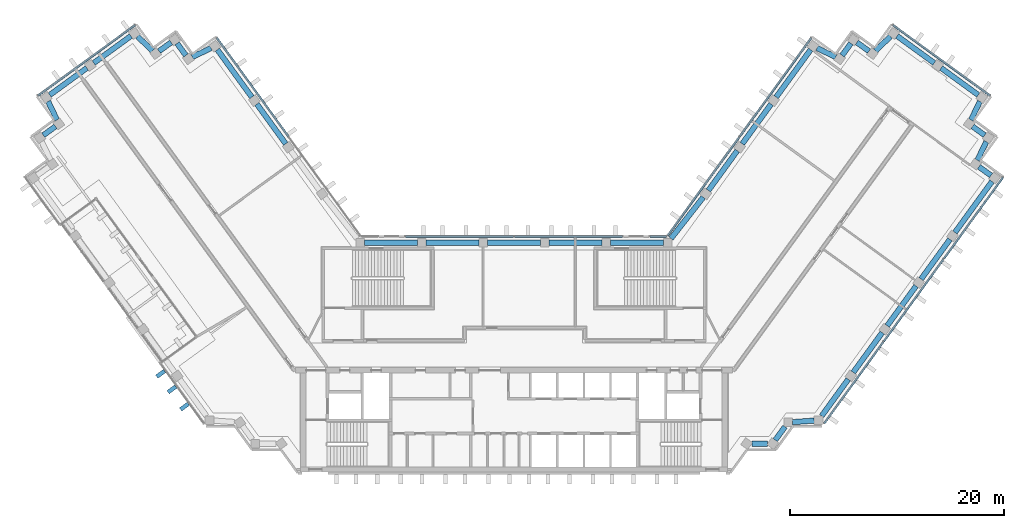
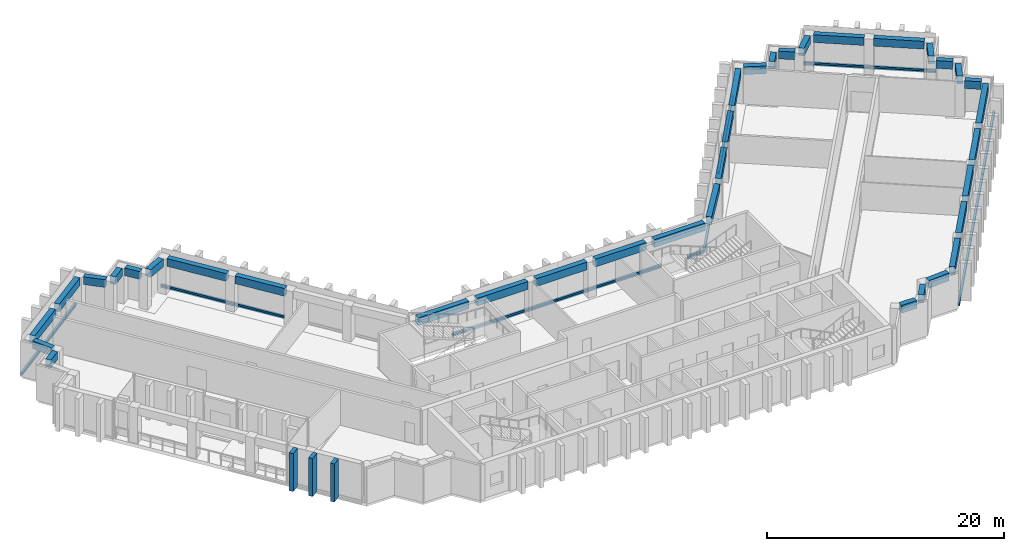
"""IFC4 building model written with IfcOpenShell, lengths in metres."""

from ifc_helpers import new_model, si_unit, direction, frame, origin, origin_2d, place, context, subcontext, project, spatial, rectangle, extrude, material, material_profile, profile_set, type_object, element, aggregate, save


model = new_model("IFC4")

# Units and contexts
model_context = context("Model", 3, precision=1e-05, world=origin(), true_north=direction((0.0, 1.0)))
body_context = subcontext(model_context, "Body", "Model", "MODEL_VIEW")
ifc_project = project(units=[si_unit("LENGTHUNIT", "METRE"), si_unit("AREAUNIT", "SQUARE_METRE"), si_unit("VOLUMEUNIT", "CUBIC_METRE"), si_unit("PLANEANGLEUNIT", "RADIAN"), si_unit("MASSUNIT", "GRAM", prefix="KILO")], contexts=[model_context])

# Site, building, storey
site_placement = place(None, origin())
site = spatial("IfcSite", under=ifc_project, at=site_placement, CompositionType="ELEMENT")
building_placement = place(site_placement, origin())
building = spatial("IfcBuilding", under=site, at=building_placement, Name="Quipu Civic Tower", CompositionType="ELEMENT")
storey_1_placement = place(building_placement, frame((0.0, 0.0, 156.0)))
storey_1 = spatial("IfcBuildingStorey", under=building, at=storey_1_placement, Name="L36", CompositionType="ELEMENT", Elevation=156.0)

# Beams
ifc_material_1 = material(Name="Concrete C50/60", Category="concrete")
ifc_material_profile_1 = material_profile(ifc_material_1, rectangle(XDim=0.5, YDim=0.800048828125, at=origin_2d()), Name="RC500x800")
ifc_profile_set_1 = profile_set([ifc_material_profile_1], Name="Concrete C50/60")
beam_type = type_object("IfcBeamType", Name="Spandrel beam RC 500x800 C50/60", PredefinedType="SPANDREL", material=ifc_profile_set_1)
beam_1_placement = place(storey_1_placement, frame((-21.382568359375, 19.767333984375, 3.25), z_axis=(-0.587736122681, 0.809052686848, 0.0), x_axis=(-0.809052686848, -0.587736122681, 0.0)))
element("IfcBeam", 1, at=beam_1_placement, inside=storey_1, type_object=beam_type, Name="Spandrel beam L36 W-IN-02 to W-IN-03", PredefinedType="SPANDREL", context=body_context, shape_type="SweptSolid", body=[
    extrude(rectangle(XDim=0.5, YDim=0.800048828125, at=origin_2d()), origin(), (0.0, 0.0, 1.0), 4.60009765625),
])
beam_2_placement = place(storey_1_placement, frame((-24.556396484375, 24.13623046875, 3.25), z_axis=(-0.587664254196, 0.809104890815, 0.0), x_axis=(-0.809104890815, -0.587664254196, 0.0)))
element("IfcBeam", 2, at=beam_2_placement, inside=storey_1, type_object=beam_type, Name="Spandrel beam L36 W-IN-03 to T-Wi.0-W34", PredefinedType="SPANDREL", context=body_context, shape_type="SweptSolid", body=[
    extrude(rectangle(XDim=0.5, YDim=0.800048828125, at=origin_2d()), origin(), (0.0, 0.0, 1.0), 5.493896484375),
])
beam_3_placement = place(storey_1_placement, frame((-28.38720703125, 28.72998046875, 3.25), z_axis=(-0.902584802379, -0.430512107279, 0.0), x_axis=(0.430512107279, -0.902584802379, 0.0)))
element("IfcBeam", 3, at=beam_3_placement, inside=storey_1, type_object=beam_type, Name="Spandrel beam L36 T-Wi.0-W34 to T-Wi.1-W34", PredefinedType="SPANDREL", context=body_context, shape_type="SweptSolid", body=[
    extrude(rectangle(XDim=0.5, YDim=0.800048828125, at=origin_2d()), origin(), (0.0, 0.0, 1.0), 1.9326171875),
])
beam_4_placement = place(storey_1_placement, frame((-30.734375, 28.0458984375, 3.25), z_axis=(-0.589342949835, 0.80788296645, 0.0), x_axis=(-0.80788296645, -0.589342949835, 0.0)))
element("IfcBeam", 4, at=beam_4_placement, inside=storey_1, type_object=beam_type, Name="Spandrel beam L36 T-Wi.1-W34 to T-Wi.2-W34", PredefinedType="SPANDREL", context=body_context, shape_type="SweptSolid", body=[
    extrude(rectangle(XDim=0.5, YDim=0.800048828125, at=origin_2d()), origin(), (0.0, 0.0, 1.0), 1.39990234375),
])
beam_5_placement = place(storey_1_placement, frame((-32.118896484375, 29.26513671875, 3.25), z_axis=(-0.80941533633, -0.587236590578, 0.0), x_axis=(0.587236590578, -0.80941533633, 0.0)))
element("IfcBeam", 5, at=beam_5_placement, inside=storey_1, type_object=beam_type, Name="Spandrel beam L36 T-Wi.2-W34 to T-Wi.3-W34", PredefinedType="SPANDREL", context=body_context, shape_type="SweptSolid", body=[
    extrude(rectangle(XDim=0.5, YDim=0.800048828125, at=origin_2d()), origin(), (0.0, 0.0, 1.0), 1.397705078125),
])
beam_6_placement = place(storey_1_placement, frame((-33.868896484375, 28.489501953125, 3.25), z_axis=(-0.72519185421, 0.68854685722, 0.0), x_axis=(-0.68854685722, -0.72519185421, 0.0)))
element("IfcBeam", 6, at=beam_6_placement, inside=storey_1, type_object=beam_type, Name="Spandrel beam L36 T-Wi.3-W34 to T-Wi.4-W34", PredefinedType="SPANDREL", context=body_context, shape_type="SweptSolid", body=[
    extrude(rectangle(XDim=0.5, YDim=0.800048828125, at=origin_2d()), origin(), (0.0, 0.0, 1.0), 1.93212890625),
])
beam_7_placement = place(storey_1_placement, frame((-35.888671875, 29.86474609375, 3.25), z_axis=(-0.808983997561, -0.58783066583, 0.0), x_axis=(0.58783066583, -0.808983997561, 0.0)))
element("IfcBeam", 7, at=beam_7_placement, inside=storey_1, type_object=beam_type, Name="Spandrel beam L36 T-Wi.4-W34 to TIP-W-01-W34", PredefinedType="SPANDREL", context=body_context, shape_type="SweptSolid", body=[
    extrude(rectangle(XDim=0.5, YDim=0.800048828125, at=origin_2d()), origin(), (0.0, 0.0, 1.0), 4.2998046875),
])
beam_8_placement = place(storey_1_placement, frame((-40.014404296875, 26.866943359375, 3.25), z_axis=(-0.808947267178, -0.587881211578, 0.0), x_axis=(0.587881211578, -0.808947267178, 0.0)))
element("IfcBeam", 8, at=beam_8_placement, inside=storey_1, type_object=beam_type, Name="Spandrel beam L36 TIP-W-01-W34 to T-Wo.0-W34", PredefinedType="SPANDREL", context=body_context, shape_type="SweptSolid", body=[
    extrude(rectangle(XDim=0.5, YDim=0.800048828125, at=origin_2d()), origin(), (0.0, 0.0, 1.0), 4.29833984375),
])
beam_9_placement = place(storey_1_placement, frame((-43.64013671875, 23.737548828125, 3.25), z_axis=(0.429889421342, -0.902881545618, 0.0), x_axis=(0.902881545618, 0.429889421342, 0.0)))
element("IfcBeam", 9, at=beam_9_placement, inside=storey_1, type_object=beam_type, Name="Spandrel beam L36 T-Wo.0-W34 to T-Wo.1-W34", PredefinedType="SPANDREL", context=body_context, shape_type="SweptSolid", body=[
    extrude(rectangle(XDim=0.5, YDim=0.800048828125, at=origin_2d()), origin(), (0.0, 0.0, 1.0), 1.931396484375),
])
beam_10_placement = place(storey_1_placement, frame((-42.958740234375, 21.391357421875, 3.25), z_axis=(-0.809467380413, -0.587164849125, 0.0), x_axis=(0.587164849125, -0.809467380413, 0.0)))
element("IfcBeam", 10, at=beam_10_placement, inside=storey_1, type_object=beam_type, Name="Spandrel beam L36 T-Wo.1-W34 to T-Wo.2-W34", PredefinedType="SPANDREL", context=body_context, shape_type="SweptSolid", body=[
    extrude(rectangle(XDim=0.5, YDim=0.800048828125, at=origin_2d()), origin(), (0.0, 0.0, 1.0), 1.399169921875),
])
beam_11_placement = place(storey_1_placement, frame((22.2861328125, -8.31494140625, 3.25), z_axis=(1.0, 0.0, 0.0), x_axis=(0.0, 1.0, 0.0)))
element("IfcBeam", 11, at=beam_11_placement, inside=storey_1, type_object=beam_type, Name="Spandrel beam L36 J-Eo.1 to J-Eo.2", PredefinedType="SPANDREL", context=body_context, shape_type="SweptSolid", body=[
    extrude(rectangle(XDim=0.5, YDim=0.800048828125, at=origin_2d()), origin(), (0.0, 0.0, 1.0), 1.454345703125),
])
beam_12_placement = place(storey_1_placement, frame((24.470458984375, -7.991455078125, 3.25), z_axis=(0.588405601119, 0.808565920981, 0.0), x_axis=(-0.808565920981, 0.588405601119, 0.0)))
element("IfcBeam", 12, at=beam_12_placement, inside=storey_1, type_object=beam_type, Name="Spandrel beam L36 J-Eo.2 to J-Eo.3", PredefinedType="SPANDREL", context=body_context, shape_type="SweptSolid", body=[
    extrude(rectangle(XDim=0.5, YDim=0.800048828125, at=origin_2d()), origin(), (0.0, 0.0, 1.0), 1.55126953125),
])
beam_13_placement = place(storey_1_placement, frame((26.074462890625, -6.307861328125, 3.25), z_axis=(0.997372997143, 0.072436900614, 0.0), x_axis=(-0.072436900614, 0.997372997143, 0.0)))
element("IfcBeam", 13, at=beam_13_placement, inside=storey_1, type_object=beam_type, Name="Spandrel beam L36 J-Eo.3 to J-Eo.4", PredefinedType="SPANDREL", context=body_context, shape_type="SweptSolid", body=[
    extrude(rectangle(XDim=0.5, YDim=0.800048828125, at=origin_2d()), origin(), (0.0, 0.0, 1.0), 2.055908203125),
])
beam_14_placement = place(storey_1_placement, frame((28.815673828125, -5.72998046875, 3.25), z_axis=(0.58776850526, 0.809029161541, 0.0), x_axis=(-0.809029161541, 0.58776850526, 0.0)))
element("IfcBeam", 14, at=beam_14_placement, inside=storey_1, type_object=beam_type, Name="Spandrel beam L36 J-Eo.4 to E-OUT-01", PredefinedType="SPANDREL", context=body_context, shape_type="SweptSolid", body=[
    extrude(rectangle(XDim=0.5, YDim=0.800048828125, at=origin_2d()), origin(), (0.0, 0.0, 1.0), 4.249267578125),
])
beam_15_placement = place(storey_1_placement, frame((31.783447265625, -1.64501953125, 3.25), z_axis=(0.587796098864, 0.809009113768, 0.0), x_axis=(-0.809009113768, 0.587796098864, 0.0)))
element("IfcBeam", 15, at=beam_15_placement, inside=storey_1, type_object=beam_type, Name="Spandrel beam L36 E-OUT-01 to E-OUT-02", PredefinedType="SPANDREL", context=body_context, shape_type="SweptSolid", body=[
    extrude(rectangle(XDim=0.5, YDim=0.800048828125, at=origin_2d()), origin(), (0.0, 0.0, 1.0), 4.60009765625),
])
beam_16_placement = place(storey_1_placement, frame((34.95751953125, 2.7236328125, 3.25), z_axis=(0.58776136044, 0.809034352283, 0.0), x_axis=(-0.809034352283, 0.58776136044, 0.0)))
element("IfcBeam", 16, at=beam_16_placement, inside=storey_1, type_object=beam_type, Name="Spandrel beam L36 E-OUT-02 to E-OUT-03", PredefinedType="SPANDREL", context=body_context, shape_type="SweptSolid", body=[
    extrude(rectangle(XDim=0.5, YDim=0.800048828125, at=origin_2d()), origin(), (0.0, 0.0, 1.0), 4.599853515625),
])
beam_17_placement = place(storey_1_placement, frame((38.13134765625, 7.09228515625, 3.25), z_axis=(0.587770861189, 0.809027449928, 0.0), x_axis=(-0.809027449928, 0.587770861189, 0.0)))
element("IfcBeam", 17, at=beam_17_placement, inside=storey_1, type_object=beam_type, Name="Spandrel beam L36 E-OUT-03 to E-OUT-04", PredefinedType="SPANDREL", context=body_context, shape_type="SweptSolid", body=[
    extrude(rectangle(XDim=0.5, YDim=0.800048828125, at=origin_2d()), origin(), (0.0, 0.0, 1.0), 4.60009765625),
])
beam_18_placement = place(storey_1_placement, frame((41.305419921875, 11.461181640625, 3.25), z_axis=(0.58780026889, 0.809006083965, 0.0), x_axis=(-0.809006083965, 0.58780026889, 0.0)))
element("IfcBeam", 18, at=beam_18_placement, inside=storey_1, type_object=beam_type, Name="Spandrel beam L36 E-OUT-04 to T-Eo.0-E34", PredefinedType="SPANDREL", context=body_context, shape_type="SweptSolid", body=[
    extrude(rectangle(XDim=0.5, YDim=0.800048828125, at=origin_2d()), origin(), (0.0, 0.0, 1.0), 5.902587890625),
])
beam_19_placement = place(storey_1_placement, frame((44.6865234375, 16.79541015625, 3.25), z_axis=(-0.808600329101, 0.588358315805, 0.0), x_axis=(-0.588358315805, -0.808600329101, 0.0)))
element("IfcBeam", 19, at=beam_19_placement, inside=storey_1, type_object=beam_type, Name="Spandrel beam L36 T-Eo.0-E34 to T-Eo.1-E34", PredefinedType="SPANDREL", context=body_context, shape_type="SweptSolid", body=[
    extrude(rectangle(XDim=0.5, YDim=0.800048828125, at=origin_2d()), origin(), (0.0, 0.0, 1.0), 1.400146484375),
])
beam_20_placement = place(storey_1_placement, frame((43.40625, 18.2216796875, 3.25), z_axis=(0.430785642718, 0.902454281406, 0.0), x_axis=(-0.902454281406, 0.430785642718, 0.0)))
element("IfcBeam", 20, at=beam_20_placement, inside=storey_1, type_object=beam_type, Name="Spandrel beam L36 T-Eo.1-E34 to T-Eo.2-E34", PredefinedType="SPANDREL", context=body_context, shape_type="SweptSolid", body=[
    extrude(rectangle(XDim=0.5, YDim=0.800048828125, at=origin_2d()), origin(), (0.0, 0.0, 1.0), 1.934814453125),
])
beam_21_placement = place(storey_1_placement, frame((44.09130859375, 20.56982421875, 3.25), z_axis=(-0.809467380413, 0.587164849125, 0.0), x_axis=(-0.587164849125, -0.809467380413, 0.0)))
element("IfcBeam", 21, at=beam_21_placement, inside=storey_1, type_object=beam_type, Name="Spandrel beam L36 T-Eo.2-E34 to T-Eo.3-E34", PredefinedType="SPANDREL", context=body_context, shape_type="SweptSolid", body=[
    extrude(rectangle(XDim=0.5, YDim=0.800048828125, at=origin_2d()), origin(), (0.0, 0.0, 1.0), 1.399169921875),
])
beam_22_placement = place(storey_1_placement, frame((42.809814453125, 21.99365234375, 3.25), z_axis=(0.429889421342, 0.902881545618, 0.0), x_axis=(-0.902881545618, 0.429889421342, 0.0)))
element("IfcBeam", 22, at=beam_22_placement, inside=storey_1, type_object=beam_type, Name="Spandrel beam L36 T-Eo.3-E34 to T-Eo.4-E34", PredefinedType="SPANDREL", context=body_context, shape_type="SweptSolid", body=[
    extrude(rectangle(XDim=0.5, YDim=0.800048828125, at=origin_2d()), origin(), (0.0, 0.0, 1.0), 1.931396484375),
])
beam_23_placement = place(storey_1_placement, frame((43.491455078125, 24.340087890625, 3.25), z_axis=(-0.808947267178, 0.587881211578, 0.0), x_axis=(-0.587881211578, -0.808947267178, 0.0)))
element("IfcBeam", 23, at=beam_23_placement, inside=storey_1, type_object=beam_type, Name="Spandrel beam L36 T-Eo.4-E34 to TIP-E-01-E34", PredefinedType="SPANDREL", context=body_context, shape_type="SweptSolid", body=[
    extrude(rectangle(XDim=0.5, YDim=0.800048828125, at=origin_2d()), origin(), (0.0, 0.0, 1.0), 4.29833984375),
])
beam_24_placement = place(storey_1_placement, frame((39.3671875, 27.337158203125, 3.25), z_axis=(-0.808983997561, 0.58783066583, 0.0), x_axis=(-0.58783066583, -0.808983997561, 0.0)))
element("IfcBeam", 24, at=beam_24_placement, inside=storey_1, type_object=beam_type, Name="Spandrel beam L36 TIP-E-01-E34 to T-Ei.0-E34", PredefinedType="SPANDREL", context=body_context, shape_type="SweptSolid", body=[
    extrude(rectangle(XDim=0.5, YDim=0.800048828125, at=origin_2d()), origin(), (0.0, 0.0, 1.0), 4.2998046875),
])
beam_25_placement = place(storey_1_placement, frame((35.27001953125, 29.81982421875, 3.25), z_axis=(-0.72519185421, -0.68854685722, 0.0), x_axis=(0.68854685722, -0.72519185421, 0.0)))
element("IfcBeam", 25, at=beam_25_placement, inside=storey_1, type_object=beam_type, Name="Spandrel beam L36 T-Ei.0-E34 to T-Ei.1-E34", PredefinedType="SPANDREL", context=body_context, shape_type="SweptSolid", body=[
    extrude(rectangle(XDim=0.5, YDim=0.800048828125, at=origin_2d()), origin(), (0.0, 0.0, 1.0), 1.93212890625),
])
beam_26_placement = place(storey_1_placement, frame((33.250244140625, 28.4443359375, 3.25), z_axis=(-0.80941533633, 0.587236590578, 0.0), x_axis=(-0.587236590578, -0.80941533633, 0.0)))
element("IfcBeam", 26, at=beam_26_placement, inside=storey_1, type_object=beam_type, Name="Spandrel beam L36 T-Ei.1-E34 to T-Ei.2-E34", PredefinedType="SPANDREL", context=body_context, shape_type="SweptSolid", body=[
    extrude(rectangle(XDim=0.5, YDim=0.800048828125, at=origin_2d()), origin(), (0.0, 0.0, 1.0), 1.397705078125),
])
beam_27_placement = place(storey_1_placement, frame((31.559326171875, 29.1767578125, 3.25), z_axis=(-0.589342949835, -0.80788296645, 0.0), x_axis=(0.80788296645, -0.589342949835, 0.0)))
element("IfcBeam", 27, at=beam_27_placement, inside=storey_1, type_object=beam_type, Name="Spandrel beam L36 T-Ei.2-E34 to T-Ei.3-E34", PredefinedType="SPANDREL", context=body_context, shape_type="SweptSolid", body=[
    extrude(rectangle(XDim=0.5, YDim=0.800048828125, at=origin_2d()), origin(), (0.0, 0.0, 1.0), 1.39990234375),
])
beam_28_placement = place(storey_1_placement, frame((30.131591796875, 27.89794921875, 3.25), z_axis=(-0.902584802379, 0.430512107279, 0.0), x_axis=(-0.430512107279, -0.902584802379, 0.0)))
element("IfcBeam", 28, at=beam_28_placement, inside=storey_1, type_object=beam_type, Name="Spandrel beam L36 T-Ei.3-E34 to T-Ei.4-E34", PredefinedType="SPANDREL", context=body_context, shape_type="SweptSolid", body=[
    extrude(rectangle(XDim=0.5, YDim=0.800048828125, at=origin_2d()), origin(), (0.0, 0.0, 1.0), 1.9326171875),
])
beam_29_placement = place(storey_1_placement, frame((27.784912109375, 28.581298828125, 3.25), z_axis=(-0.587664254196, -0.809104890815, 0.0), x_axis=(0.809104890815, -0.587664254196, 0.0)))
element("IfcBeam", 29, at=beam_29_placement, inside=storey_1, type_object=beam_type, Name="Spandrel beam L36 T-Ei.4-E34 to E-IN-03", PredefinedType="SPANDREL", context=body_context, shape_type="SweptSolid", body=[
    extrude(rectangle(XDim=0.5, YDim=0.800048828125, at=origin_2d()), origin(), (0.0, 0.0, 1.0), 5.493896484375),
])
beam_30_placement = place(storey_1_placement, frame((24.086181640625, 23.489013671875, 3.25), z_axis=(-0.587736122681, -0.809052686848, 0.0), x_axis=(0.809052686848, -0.587736122681, 0.0)))
element("IfcBeam", 30, at=beam_30_placement, inside=storey_1, type_object=beam_type, Name="Spandrel beam L36 E-IN-03 to E-IN-02", PredefinedType="SPANDREL", context=body_context, shape_type="SweptSolid", body=[
    extrude(rectangle(XDim=0.5, YDim=0.800048828125, at=origin_2d()), origin(), (0.0, 0.0, 1.0), 4.60009765625),
])
beam_31_placement = place(storey_1_placement, frame((20.912353515625, 19.1201171875, 3.25), z_axis=(-0.58776136044, -0.809034352283, 0.0), x_axis=(0.809034352283, -0.58776136044, 0.0)))
element("IfcBeam", 31, at=beam_31_placement, inside=storey_1, type_object=beam_type, Name="Spandrel beam L36 E-IN-02 to E-IN-01", PredefinedType="SPANDREL", context=body_context, shape_type="SweptSolid", body=[
    extrude(rectangle(XDim=0.5, YDim=0.800048828125, at=origin_2d()), origin(), (0.0, 0.0, 1.0), 4.599853515625),
])
beam_32_placement = place(storey_1_placement, frame((17.72705078125, 14.759765625, 3.25), z_axis=(-0.616090612932, -0.787675286306, 0.0), x_axis=(0.787675286306, -0.616090612932, 0.0)))
element("IfcBeam", 32, at=beam_32_placement, inside=storey_1, type_object=beam_type, Name="Spandrel beam L36 E-IN-01 to J-Ei.0", PredefinedType="SPANDREL", context=body_context, shape_type="SweptSolid", body=[
    extrude(rectangle(XDim=0.5, YDim=0.800048828125, at=origin_2d()), origin(), (0.0, 0.0, 1.0), 4.900390625),
])
for number, where, z_axis, x_axis, name in (
    (33, (13.9951171875, 10.5, 3.25), (-1.0, 0.0, 0.0), (0.0, -1.0, 0.0), "Spandrel beam L36 J-Ei.0 to FRONT-01"),
    (34, (8.237060546875, 10.5, 3.25), (-1.0, 0.0, 0.0), (0.0, -1.0, 0.0), "Spandrel beam L36 FRONT-01 to FRONT-02"),
    (35, (2.47900390625, 10.5, 3.25), (-1.0, 0.0, 0.0), (0.0, -1.0, 0.0), "Spandrel beam L36 FRONT-02 to FRONT-03"),
    (36, (-3.279052734375, 10.5, 3.25), (-1.0, 0.0, 0.0), (0.0, -1.0, 0.0), "Spandrel beam L36 FRONT-03 to FRONT-04"),
    (37, (-9.037109375, 10.5, 3.25), (-1.0, 0.0, 0.0), (0.0, -1.0, 0.0), "Spandrel beam L36 FRONT-04 to J-Wi.0"),
):
    element("IfcBeam", number, at=place(storey_1_placement, frame(where, z_axis=z_axis, x_axis=x_axis)), inside=storey_1, type_object=beam_type, Name=name, PredefinedType="SPANDREL", context=body_context, shape_type="SweptSolid", body=[
        extrude(rectangle(XDim=0.5, YDim=0.800048828125, at=origin_2d()), origin(), (0.0, 0.0, 1.0), 4.9580078125),
    ])

# Storey
storey_2_placement = place(building_placement, frame((0.0, 0.0, 148.0)))
storey_2 = spatial("IfcBuildingStorey", under=building, at=storey_2_placement, Name="L34", CompositionType="ELEMENT", Elevation=148.0)

# Curtain wall, members
ifc_material_2 = material(Name="Insulated glass unit", Category="glass")
curtain_wall_type = type_object("IfcCurtainWallType", Name="Office curtain wall CW1", PredefinedType="NOTDEFINED", material=ifc_material_2)
curtain_wall_1_placement = place(storey_2_placement, origin())
curtain_wall_1 = element("IfcCurtainWall", 38, at=curtain_wall_1_placement, inside=storey_2, type_object=curtain_wall_type, Name="Office curtain wall CW1 L33 run 16", PredefinedType="NOTDEFINED")
ifc_material_3 = material(Name="Anodised aluminium", Category="aluminium")
ifc_material_profile_2 = material_profile(ifc_material_3, rectangle(XDim=0.199951171875, YDim=0.159912109375, at=origin_2d()), Name="RECT 200x160")
ifc_profile_set_2 = profile_set([ifc_material_profile_2], Name="Anodised aluminium")
member_type = type_object("IfcMemberType", Name="Transom CW1", PredefinedType="USERDEFINED", material=ifc_profile_set_2)
member_1_placement = place(storey_1_placement, frame((29.052978515625, -6.424072265625, 0.0), z_axis=(0.587783783239, 0.809018061703, 0.0), x_axis=(-0.809018061703, 0.587783783239, 0.0)))
member_1 = element("IfcMember", 39, at=member_1_placement, inside=storey_1, type_object=member_type, Name="CW1 transom 1.4", ObjectType="TRANSOM", PredefinedType="USERDEFINED", context=body_context, shape_type="SweptSolid", body=[
    extrude(rectangle(XDim=0.199951171875, YDim=0.159912109375, at=origin_2d()), origin(), (0.0, 0.0, 1.0), 9.431884765625),
])
member_2_placement = place(storey_1_placement, frame((34.64404296875, 1.271240234375, 0.0), z_axis=(0.587773158676, 0.809025780763, 0.0), x_axis=(-0.809025780763, 0.587773158676, 0.0)))
member_2 = element("IfcMember", 40, at=member_2_placement, inside=storey_1, type_object=member_type, Name="CW1 transom 2.4", ObjectType="TRANSOM", PredefinedType="USERDEFINED", context=body_context, shape_type="SweptSolid", body=[
    extrude(rectangle(XDim=0.199951171875, YDim=0.159912109375, at=origin_2d()), origin(), (0.0, 0.0, 1.0), 9.471923828125),
])
member_3_placement = place(storey_1_placement, frame((40.258544921875, 8.9990234375, 0.0), z_axis=(0.587783783239, 0.809018061703, 0.0), x_axis=(-0.809018061703, 0.587783783239, 0.0)))
member_3 = element("IfcMember", 41, at=member_3_placement, inside=storey_1, type_object=member_type, Name="CW1 transom 3.4", ObjectType="TRANSOM", PredefinedType="USERDEFINED", context=body_context, shape_type="SweptSolid", body=[
    extrude(rectangle(XDim=0.199951171875, YDim=0.159912109375, at=origin_2d()), origin(), (0.0, 0.0, 1.0), 9.431884765625),
])
aggregate(curtain_wall_1, [member_1, member_2, member_3])

# Curtain wall, member
curtain_wall_2_placement = place(storey_2_placement, origin())
curtain_wall_2 = element("IfcCurtainWall", 42, at=curtain_wall_2_placement, inside=storey_2, type_object=curtain_wall_type, Name="Office curtain wall CW1 L33 run 21", PredefinedType="NOTDEFINED")
member_4_placement = place(storey_1_placement, frame((44.590087890625, 24.2841796875, 0.0), z_axis=(-0.809014959561, 0.587788052963, 0.0), x_axis=(-0.587788052963, -0.809014959561, 0.0)))
member_4 = element("IfcMember", 43, at=member_4_placement, inside=storey_1, type_object=member_type, Name="CW1 transom 1.4", ObjectType="TRANSOM", PredefinedType="USERDEFINED", context=body_context, shape_type="SweptSolid", body=[
    extrude(rectangle(XDim=0.199951171875, YDim=0.159912109375, at=origin_2d()), origin(), (0.0, 0.0, 1.0), 11.239990234375),
])
aggregate(curtain_wall_2, [member_4])

# Curtain wall, members
curtain_wall_3_placement = place(storey_2_placement, origin())
curtain_wall_3 = element("IfcCurtainWall", 44, at=curtain_wall_3_placement, inside=storey_2, type_object=curtain_wall_type, Name="Office curtain wall CW1 L33 run 26", PredefinedType="NOTDEFINED")
member_5_placement = place(storey_1_placement, frame((27.84228515625, 29.678466796875, 0.0), z_axis=(-0.587775682251, -0.809023947331, 0.0), x_axis=(0.809023947331, -0.587775682251, 0.0)))
member_5 = element("IfcMember", 45, at=member_5_placement, inside=storey_1, type_object=member_type, Name="CW1 transom 1.4", ObjectType="TRANSOM", PredefinedType="USERDEFINED", context=body_context, shape_type="SweptSolid", body=[
    extrude(rectangle(XDim=0.199951171875, YDim=0.159912109375, at=origin_2d()), origin(), (0.0, 0.0, 1.0), 11.402099609375),
])
member_6_placement = place(storey_1_placement, frame((21.09326171875, 20.38916015625, 0.0), z_axis=(-0.587799878401, -0.809006367683, 0.0), x_axis=(0.809006367683, -0.587799878401, 0.0)))
member_6 = element("IfcMember", 46, at=member_6_placement, inside=storey_1, type_object=member_type, Name="CW1 transom 2.4", ObjectType="TRANSOM", PredefinedType="USERDEFINED", context=body_context, shape_type="SweptSolid", body=[
    extrude(rectangle(XDim=0.199951171875, YDim=0.159912109375, at=origin_2d()), origin(), (0.0, 0.0, 1.0), 11.402099609375),
])
aggregate(curtain_wall_3, [member_5, member_6])

# Curtain wall, member
curtain_wall_4_placement = place(storey_2_placement, origin())
curtain_wall_4 = element("IfcCurtainWall", 47, at=curtain_wall_4_placement, inside=storey_2, type_object=curtain_wall_type, Name="Office curtain wall CW1 L33 run 27", PredefinedType="NOTDEFINED")
member_7_placement = place(storey_1_placement, frame((14.26416015625, 11.10009765625, 0.0), z_axis=(-1.0, 0.0, 0.0), x_axis=(0.0, -1.0, 0.0)))
member_7 = element("IfcMember", 48, at=member_7_placement, inside=storey_1, type_object=member_type, Name="CW1 transom 1.4", ObjectType="TRANSOM", PredefinedType="USERDEFINED", context=body_context, shape_type="SweptSolid", body=[
    extrude(rectangle(XDim=0.199951171875, YDim=0.159912109375, at=origin_2d()), origin(), (0.0, 0.0, 1.0), 1.529052734375),
])
aggregate(curtain_wall_4, [member_7])

# Curtain wall, members
curtain_wall_5_placement = place(storey_2_placement, origin())
curtain_wall_5 = element("IfcCurtainWall", 49, at=curtain_wall_5_placement, inside=storey_2, type_object=curtain_wall_type, Name="Office curtain wall CW1 L33 run 29", PredefinedType="NOTDEFINED")
member_8_placement = place(storey_1_placement, frame((10.18359375, 11.10009765625, 0.0), z_axis=(-1.0, 0.0, 0.0), x_axis=(0.0, -1.0, 0.0)))
member_8 = element("IfcMember", 50, at=member_8_placement, inside=storey_1, type_object=member_type, Name="CW1 transom 1.4", ObjectType="TRANSOM", PredefinedType="USERDEFINED", context=body_context, shape_type="SweptSolid", body=[
    extrude(rectangle(XDim=0.199951171875, YDim=0.159912109375, at=origin_2d()), origin(), (0.0, 0.0, 1.0), 10.1435546875),
])
member_9_placement = place(storey_1_placement, frame((-0.0400390625, 11.10009765625, 0.0), z_axis=(-1.0, 0.0, 0.0), x_axis=(0.0, -1.0, 0.0)))
member_9 = element("IfcMember", 51, at=member_9_placement, inside=storey_1, type_object=member_type, Name="CW1 transom 2.4", ObjectType="TRANSOM", PredefinedType="USERDEFINED", context=body_context, shape_type="SweptSolid", body=[
    extrude(rectangle(XDim=0.199951171875, YDim=0.159912109375, at=origin_2d()), origin(), (0.0, 0.0, 1.0), 10.1435546875),
])
aggregate(curtain_wall_5, [member_8, member_9])

# Curtain wall, member
curtain_wall_6_placement = place(storey_2_placement, origin())
curtain_wall_6 = element("IfcCurtainWall", 52, at=curtain_wall_6_placement, inside=storey_2, type_object=curtain_wall_type, Name="Office curtain wall CW1 L33 run 32", PredefinedType="NOTDEFINED")
member_10_placement = place(storey_1_placement, frame((-21.140380859375, 20.453857421875, 0.0), z_axis=(-0.587775682251, 0.809023947331, 0.0), x_axis=(-0.809023947331, -0.587775682251, 0.0)))
member_10 = element("IfcMember", 53, at=member_10_placement, inside=storey_1, type_object=member_type, Name="CW1 transom 2.4", ObjectType="TRANSOM", PredefinedType="USERDEFINED", context=body_context, shape_type="SweptSolid", body=[
    extrude(rectangle(XDim=0.199951171875, YDim=0.159912109375, at=origin_2d()), origin(), (0.0, 0.0, 1.0), 11.402099609375),
])
aggregate(curtain_wall_6, [member_10])

curtain_wall_7_placement = place(storey_2_placement, origin())
curtain_wall_7 = element("IfcCurtainWall", 54, at=curtain_wall_7_placement, inside=storey_2, type_object=curtain_wall_type, Name="Office curtain wall CW1 L33 run 37", PredefinedType="NOTDEFINED")
member_11_placement = place(storey_1_placement, frame((-35.496826171875, 30.890869140625, 0.0), z_axis=(-0.809014959561, -0.587788052963, 0.0), x_axis=(0.587788052963, -0.809014959561, 0.0)))
member_11 = element("IfcMember", 55, at=member_11_placement, inside=storey_1, type_object=member_type, Name="CW1 transom 1.4", ObjectType="TRANSOM", PredefinedType="USERDEFINED", context=body_context, shape_type="SweptSolid", body=[
    extrude(rectangle(XDim=0.199951171875, YDim=0.159912109375, at=origin_2d()), origin(), (0.0, 0.0, 1.0), 11.239990234375),
])
aggregate(curtain_wall_7, [member_11])

# Storey
storey_3_placement = place(building_placement, frame((0.0, 0.0, 160.0)))
storey_3 = spatial("IfcBuildingStorey", under=building, at=storey_3_placement, Name="L37", CompositionType="ELEMENT", Elevation=160.0)

# Curtain wall, member
curtain_wall_8_placement = place(storey_3_placement, origin())
curtain_wall_8 = element("IfcCurtainWall", 56, at=curtain_wall_8_placement, inside=storey_3, type_object=curtain_wall_type, Name="Office curtain wall CW1 L36 run 10", PredefinedType="NOTDEFINED")
member_12_placement = place(storey_1_placement, frame((-21.140380859375, 20.453857421875, 0.159912109375), z_axis=(-0.587775682251, 0.809023947331, 0.0), x_axis=(-0.809023947331, -0.587775682251, 0.0)))
member_12 = element("IfcMember", 57, at=member_12_placement, inside=storey_1, type_object=member_type, Name="CW1 transom 2.1", ObjectType="TRANSOM", PredefinedType="USERDEFINED", context=body_context, shape_type="SweptSolid", body=[
    extrude(rectangle(XDim=0.199951171875, YDim=0.159912109375, at=origin_2d()), origin(), (0.0, 0.0, 1.0), 11.402099609375),
])
aggregate(curtain_wall_8, [member_12])

curtain_wall_9_placement = place(storey_3_placement, origin())
curtain_wall_9 = element("IfcCurtainWall", 58, at=curtain_wall_9_placement, inside=storey_3, type_object=curtain_wall_type, Name="Office curtain wall CW1 L36 run 15", PredefinedType="NOTDEFINED")
member_13_placement = place(storey_1_placement, frame((-35.496826171875, 30.890869140625, 0.159912109375), z_axis=(-0.809014959561, -0.587788052963, 0.0), x_axis=(0.587788052963, -0.809014959561, 0.0)))
member_13 = element("IfcMember", 59, at=member_13_placement, inside=storey_1, type_object=member_type, Name="CW1 transom 1.1", ObjectType="TRANSOM", PredefinedType="USERDEFINED", context=body_context, shape_type="SweptSolid", body=[
    extrude(rectangle(XDim=0.199951171875, YDim=0.159912109375, at=origin_2d()), origin(), (0.0, 0.0, 1.0), 11.239990234375),
])
aggregate(curtain_wall_9, [member_13])

# Curtain wall, members
curtain_wall_10_placement = place(storey_3_placement, origin())
curtain_wall_10 = element("IfcCurtainWall", 60, at=curtain_wall_10_placement, inside=storey_3, type_object=curtain_wall_type, Name="Office curtain wall CW1 L36 run 26", PredefinedType="NOTDEFINED")
member_14_placement = place(storey_1_placement, frame((29.052978515625, -6.424072265625, 0.159912109375), z_axis=(0.587783783239, 0.809018061703, 0.0), x_axis=(-0.809018061703, 0.587783783239, 0.0)))
member_14 = element("IfcMember", 61, at=member_14_placement, inside=storey_1, type_object=member_type, Name="CW1 transom 1.1", ObjectType="TRANSOM", PredefinedType="USERDEFINED", context=body_context, shape_type="SweptSolid", body=[
    extrude(rectangle(XDim=0.199951171875, YDim=0.159912109375, at=origin_2d()), origin(), (0.0, 0.0, 1.0), 9.431884765625),
])
member_15_placement = place(storey_1_placement, frame((34.64404296875, 1.271240234375, 0.159912109375), z_axis=(0.587773158676, 0.809025780763, 0.0), x_axis=(-0.809025780763, 0.587773158676, 0.0)))
member_15 = element("IfcMember", 62, at=member_15_placement, inside=storey_1, type_object=member_type, Name="CW1 transom 2.1", ObjectType="TRANSOM", PredefinedType="USERDEFINED", context=body_context, shape_type="SweptSolid", body=[
    extrude(rectangle(XDim=0.199951171875, YDim=0.159912109375, at=origin_2d()), origin(), (0.0, 0.0, 1.0), 9.471923828125),
])
member_16_placement = place(storey_1_placement, frame((40.258544921875, 8.9990234375, 0.159912109375), z_axis=(0.587783783239, 0.809018061703, 0.0), x_axis=(-0.809018061703, 0.587783783239, 0.0)))
member_16 = element("IfcMember", 63, at=member_16_placement, inside=storey_1, type_object=member_type, Name="CW1 transom 3.1", ObjectType="TRANSOM", PredefinedType="USERDEFINED", context=body_context, shape_type="SweptSolid", body=[
    extrude(rectangle(XDim=0.199951171875, YDim=0.159912109375, at=origin_2d()), origin(), (0.0, 0.0, 1.0), 9.431884765625),
])
aggregate(curtain_wall_10, [member_14, member_15, member_16])

# Curtain wall, member
curtain_wall_11_placement = place(storey_3_placement, origin())
curtain_wall_11 = element("IfcCurtainWall", 64, at=curtain_wall_11_placement, inside=storey_3, type_object=curtain_wall_type, Name="Office curtain wall CW1 L36 run 31", PredefinedType="NOTDEFINED")
member_17_placement = place(storey_1_placement, frame((44.590087890625, 24.2841796875, 0.159912109375), z_axis=(-0.809014959561, 0.587788052963, 0.0), x_axis=(-0.587788052963, -0.809014959561, 0.0)))
member_17 = element("IfcMember", 65, at=member_17_placement, inside=storey_1, type_object=member_type, Name="CW1 transom 1.1", ObjectType="TRANSOM", PredefinedType="USERDEFINED", context=body_context, shape_type="SweptSolid", body=[
    extrude(rectangle(XDim=0.199951171875, YDim=0.159912109375, at=origin_2d()), origin(), (0.0, 0.0, 1.0), 11.239990234375),
])
aggregate(curtain_wall_11, [member_17])

# Curtain wall, members
curtain_wall_12_placement = place(storey_3_placement, origin())
curtain_wall_12 = element("IfcCurtainWall", 66, at=curtain_wall_12_placement, inside=storey_3, type_object=curtain_wall_type, Name="Office curtain wall CW1 L36 run 36", PredefinedType="NOTDEFINED")
member_18_placement = place(storey_1_placement, frame((27.84228515625, 29.678466796875, 0.159912109375), z_axis=(-0.587775682251, -0.809023947331, 0.0), x_axis=(0.809023947331, -0.587775682251, 0.0)))
member_18 = element("IfcMember", 67, at=member_18_placement, inside=storey_1, type_object=member_type, Name="CW1 transom 1.1", ObjectType="TRANSOM", PredefinedType="USERDEFINED", context=body_context, shape_type="SweptSolid", body=[
    extrude(rectangle(XDim=0.199951171875, YDim=0.159912109375, at=origin_2d()), origin(), (0.0, 0.0, 1.0), 11.402099609375),
])
member_19_placement = place(storey_1_placement, frame((21.09326171875, 20.38916015625, 0.159912109375), z_axis=(-0.587799878401, -0.809006367683, 0.0), x_axis=(0.809006367683, -0.587799878401, 0.0)))
member_19 = element("IfcMember", 68, at=member_19_placement, inside=storey_1, type_object=member_type, Name="CW1 transom 2.1", ObjectType="TRANSOM", PredefinedType="USERDEFINED", context=body_context, shape_type="SweptSolid", body=[
    extrude(rectangle(XDim=0.199951171875, YDim=0.159912109375, at=origin_2d()), origin(), (0.0, 0.0, 1.0), 11.402099609375),
])
aggregate(curtain_wall_12, [member_18, member_19])

# Curtain wall, member
curtain_wall_13_placement = place(storey_3_placement, origin())
curtain_wall_13 = element("IfcCurtainWall", 69, at=curtain_wall_13_placement, inside=storey_3, type_object=curtain_wall_type, Name="Office curtain wall CW1 L36 run 37", PredefinedType="NOTDEFINED")
member_20_placement = place(storey_1_placement, frame((14.26416015625, 11.10009765625, 0.159912109375), z_axis=(-1.0, 0.0, 0.0), x_axis=(0.0, -1.0, 0.0)))
member_20 = element("IfcMember", 70, at=member_20_placement, inside=storey_1, type_object=member_type, Name="CW1 transom 1.1", ObjectType="TRANSOM", PredefinedType="USERDEFINED", context=body_context, shape_type="SweptSolid", body=[
    extrude(rectangle(XDim=0.199951171875, YDim=0.159912109375, at=origin_2d()), origin(), (0.0, 0.0, 1.0), 1.529052734375),
])
aggregate(curtain_wall_13, [member_20])

# Curtain wall, members
curtain_wall_14_placement = place(storey_3_placement, origin())
curtain_wall_14 = element("IfcCurtainWall", 71, at=curtain_wall_14_placement, inside=storey_3, type_object=curtain_wall_type, Name="Office curtain wall CW1 L36 run 39", PredefinedType="NOTDEFINED")
member_21_placement = place(storey_1_placement, frame((10.18359375, 11.10009765625, 0.159912109375), z_axis=(-1.0, 0.0, 0.0), x_axis=(0.0, -1.0, 0.0)))
member_21 = element("IfcMember", 72, at=member_21_placement, inside=storey_1, type_object=member_type, Name="CW1 transom 1.1", ObjectType="TRANSOM", PredefinedType="USERDEFINED", context=body_context, shape_type="SweptSolid", body=[
    extrude(rectangle(XDim=0.199951171875, YDim=0.159912109375, at=origin_2d()), origin(), (0.0, 0.0, 1.0), 10.1435546875),
])
member_22_placement = place(storey_1_placement, frame((-0.0400390625, 11.10009765625, 0.159912109375), z_axis=(-1.0, 0.0, 0.0), x_axis=(0.0, -1.0, 0.0)))
member_22 = element("IfcMember", 73, at=member_22_placement, inside=storey_1, type_object=member_type, Name="CW1 transom 2.1", ObjectType="TRANSOM", PredefinedType="USERDEFINED", context=body_context, shape_type="SweptSolid", body=[
    extrude(rectangle(XDim=0.199951171875, YDim=0.159912109375, at=origin_2d()), origin(), (0.0, 0.0, 1.0), 10.1435546875),
])
aggregate(curtain_wall_14, [member_21, member_22])

# Plates
ifc_material_4 = material(Name="Precast concrete C40/50", Category="concrete")
plate_type = type_object("IfcPlateType", Name="Precast fin F2", PredefinedType="SHEET", material=ifc_material_4)
for number, where, z_axis, x_axis, name in (
    (74, (-33.1044921875, -1.783203125, 0.080078125), (0.0, 0.0, 1.0), (0.587787878823, -0.809015086082, 0.0), "Precast fin F2 L36.7.1"),
    (75, (-32.046630859375, -3.239501953125, 0.080078125), (0.0, 0.0, 1.0), (0.587787878823, -0.809015086082, 0.0), "Precast fin F2 L36.7.2"),
    (76, (-30.87109375, -4.857421875, 0.080078125), (0.0, 0.0, 1.0), (0.587787878823, -0.809015086082, 0.0), "Precast fin F2 L36.7.3"),
):
    element("IfcPlate", number, at=place(storey_1_placement, frame(where, z_axis=z_axis, x_axis=x_axis)), inside=storey_1, type_object=plate_type, Name=name, PredefinedType="SHEET", context=body_context, shape_type="SweptSolid", body=[
        extrude(rectangle(XDim=0.3798828125, YDim=0.89990234375, at=origin_2d()), origin(), (0.0, 0.0, 1.0), 3.919921875),
    ])

save(model, "model.ifc")
